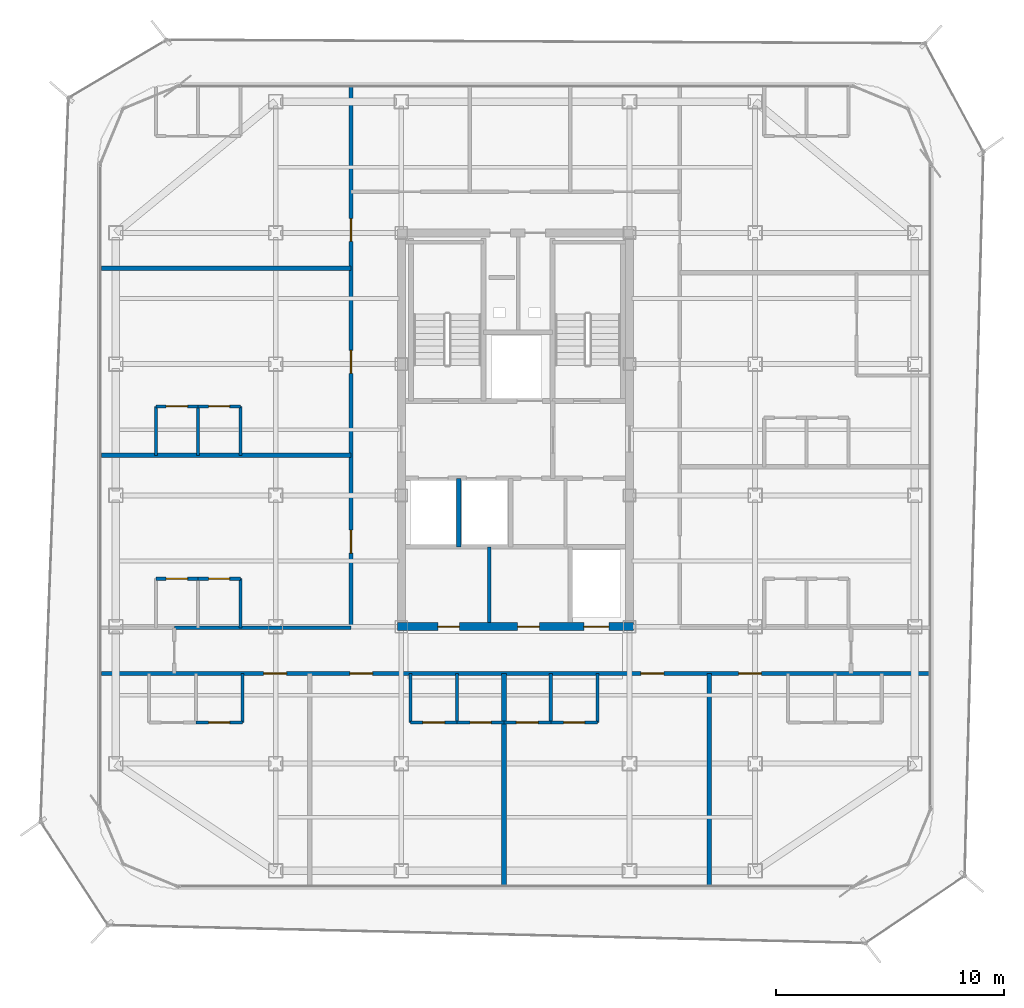
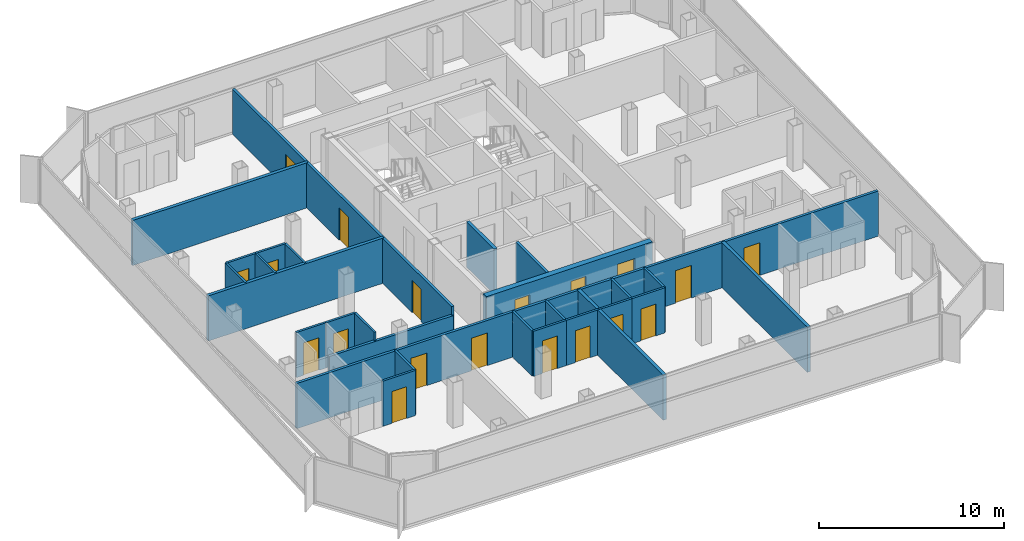
# One storey, part 10 of 16: 28 walls, 19 doors, 19 openings.
"""IFC4 building model written with IfcOpenShell, lengths in metres."""

from ifc_helpers import new_model, si_unit, direction, frame, frame_2d, origin, place, context, subcontext, project, spatial, rectangle, extrude, material, layer, layer_set, type_object, element, fill, save


model = new_model("IFC4")

# Units and contexts
model_context = context("Model", 3, precision=1e-05, world=origin(), true_north=direction((0.0, 1.0)))
body_context = subcontext(model_context, "Body", "Model", "MODEL_VIEW")
ifc_project = project(units=[si_unit("LENGTHUNIT", "METRE"), si_unit("AREAUNIT", "SQUARE_METRE"), si_unit("VOLUMEUNIT", "CUBIC_METRE"), si_unit("PLANEANGLEUNIT", "RADIAN"), si_unit("MASSUNIT", "GRAM", prefix="KILO")], contexts=[model_context])

# Site, building, storey
site_placement = place(None, origin())
site = spatial("IfcSite", under=ifc_project, at=site_placement, CompositionType="ELEMENT")
building_placement = place(site_placement, origin())
building = spatial("IfcBuilding", under=site, at=building_placement, Name="Kolveth Station Tower", CompositionType="ELEMENT")
storey_placement = place(building_placement, frame((0.0, 0.0, 236.10009765625)))
storey = spatial("IfcBuildingStorey", under=building, at=storey_placement, Name="L67", CompositionType="ELEMENT", Elevation=236.10009765625)

# Wall, openings, doors
ifc_material_1 = material(Name="Concrete C50/60", Category="concrete")
ifc_layer_1 = layer(ifc_material_1, 0.35009765625)
ifc_layer_set_1 = layer_set([ifc_layer_1], Name="Concrete C50/60")
wall_type_1 = type_object("IfcWallType", Name="Wall_CW-350", PredefinedType="SHEAR", material=ifc_layer_set_1)
wall_1_placement = place(storey_placement, frame((18.324951171875, 11.5, 0.0), z_axis=(0.0, 0.0, 1.0), x_axis=(1.0, 0.0, 0.0)))
wall_1 = element("IfcWall", 1, at=wall_1_placement, inside=storey, type_object=wall_type_1, Name="L67 Core RC Shear Wall S", PredefinedType="SHEAR", context=body_context, shape_type="SweptSolid", body=[
    extrude(rectangle(XDim=10.35009765625, YDim=0.35009765625, at=frame_2d((5.175048828125, 0.0))), origin(), (0.0, 0.0, 1.0), 2.97998046875),
])
opening_1_placement = place(wall_1_placement, frame((1.77490234375, 0.0, 0.0)))
opening_1 = element("IfcOpeningElement", 2, at=opening_1_placement, cuts=wall_1, Name="Opening ID1", PredefinedType="OPENING", context=body_context, shape_type="SweptSolid", body=[
    extrude(rectangle(XDim=0.949951171875, YDim=2.14990234375, at=frame_2d((0.47509765625, 1.074951171875))), frame((0.0, 0.18505859375, 0.0), z_axis=(0.0, -1.0, 0.0), x_axis=(1.0, 0.0, 0.0)), (0.0, 0.0, 1.0), 0.3701171875),
])
opening_2_placement = place(wall_1_placement, frame((5.27490234375, 0.0, 0.0)))
opening_2 = element("IfcOpeningElement", 3, at=opening_2_placement, cuts=wall_1, Name="Opening ID1", PredefinedType="OPENING", context=body_context, shape_type="SweptSolid", body=[
    extrude(rectangle(XDim=0.949951171875, YDim=2.14990234375, at=frame_2d((0.47509765625, 1.074951171875))), frame((0.0, 0.18505859375, 0.0), z_axis=(0.0, -1.0, 0.0), x_axis=(1.0, 0.0, 0.0)), (0.0, 0.0, 1.0), 0.3701171875),
])
opening_3_placement = place(wall_1_placement, frame((8.175048828125, 0.0, 0.0)))
opening_3 = element("IfcOpeningElement", 4, at=opening_3_placement, cuts=wall_1, Name="Opening LD1", PredefinedType="OPENING", context=body_context, shape_type="SweptSolid", body=[
    extrude(rectangle(XDim=1.10009765625, YDim=2.25, at=frame_2d((0.550048828125, 1.125))), frame((0.0, 0.18505859375, 0.0), z_axis=(0.0, -1.0, 0.0), x_axis=(1.0, 0.0, 0.0)), (0.0, 0.0, 1.0), 0.3701171875),
])
ifc_material_2 = material(Name="Acoustic hardwood leaf and aluminium frame", Category="wood")
door_type_1 = type_object("IfcDoorType", Name="Door_ID1", OperationType="NOTDEFINED", PredefinedType="DOOR", material=ifc_material_2)
door_1_placement = place(opening_1_placement, frame((0.949951171875, 0.0, 0.0), z_axis=(0.0, 0.0, 1.0), x_axis=(-1.0, 0.0, 0.0)))
door_1 = element("IfcDoor", 5, at=door_1_placement, inside=storey, type_object=door_type_1, Name="L67 Laundry Room Door", OperationType="SINGLE_SWING_LEFT", OverallHeight=2.14990234375, OverallWidth=0.949951171875, PredefinedType="DOOR", context=body_context, shape_type="SweptSolid", body=[
    extrude(rectangle(XDim=0.949951171875, YDim=2.14990234375, at=frame_2d((0.47509765625, 1.074951171875))), frame((0.0, 0.02490234375, 0.0), z_axis=(0.0, -1.0, 0.0), x_axis=(1.0, 0.0, 0.0)), (0.0, 0.0, 1.0), 0.050048828125),
])
fill(opening_1, door_1)
door_2_placement = place(opening_2_placement, frame((0.949951171875, 0.0, 0.0), z_axis=(0.0, 0.0, 1.0), x_axis=(-1.0, 0.0, 0.0)))
door_2 = element("IfcDoor", 6, at=door_2_placement, inside=storey, type_object=door_type_1, Name="L67 Parcel Room Door", OperationType="SINGLE_SWING_RIGHT", OverallHeight=2.14990234375, OverallWidth=0.949951171875, PredefinedType="DOOR", context=body_context, shape_type="SweptSolid", body=[
    extrude(rectangle(XDim=0.949951171875, YDim=2.14990234375, at=frame_2d((0.47509765625, 1.074951171875))), frame((0.0, 0.02490234375, 0.0), z_axis=(0.0, -1.0, 0.0), x_axis=(1.0, 0.0, 0.0)), (0.0, 0.0, 1.0), 0.050048828125),
])
fill(opening_2, door_2)
ifc_material_3 = material(Name="Brushed stainless steel sliding landing doors", Category="steel")
door_type_2 = type_object("IfcDoorType", Name="Door_LD1", OperationType="NOTDEFINED", PredefinedType="DOOR", material=ifc_material_3)
door_3_placement = place(opening_3_placement, frame((1.10009765625, 0.0, 0.0), z_axis=(0.0, 0.0, 1.0), x_axis=(-1.0, 0.0, 0.0)))
door_3 = element("IfcDoor", 7, at=door_3_placement, inside=storey, type_object=door_type_2, Name="L67 Lift PH1 Landing Door", OperationType="DOUBLE_DOOR_SLIDING", OverallHeight=2.25, OverallWidth=1.10009765625, PredefinedType="DOOR", context=body_context, shape_type="SweptSolid", body=[
    extrude(rectangle(XDim=1.10009765625, YDim=2.25, at=frame_2d((0.550048828125, 1.125))), frame((0.0, 0.02490234375, 0.0), z_axis=(0.0, -1.0, 0.0), x_axis=(1.0, 0.0, 0.0)), (0.0, 0.0, 1.0), 0.050048828125),
])
fill(opening_3, door_3)

# Wall, opening, door
ifc_material_4 = material(Name="Moisture-resistant gypsum partition")
ifc_layer_2 = layer(ifc_material_4, 0.135009765625)
ifc_layer_set_2 = layer_set([ifc_layer_2], Name="Moisture-resistant gypsum partition")
wall_type_2 = type_object("IfcWallType", Name="Wall_IW-135", PredefinedType="PARTITIONING", material=ifc_layer_set_2)
wall_2_placement = place(storey_placement, frame((9.5, 7.300048828125, 0.0), z_axis=(0.0, 0.0, 1.0), x_axis=(1.0, 0.0, 0.0)))
wall_2 = element("IfcWall", 8, at=wall_2_placement, inside=storey, type_object=wall_type_2, Name="L67 Partition Wall WL-L67-A1-IBHB", PredefinedType="PARTITIONING", context=body_context, shape_type="SweptSolid", body=[
    extrude(rectangle(XDim=2.050048828125, YDim=0.135009765625, at=frame_2d((1.02490234375, 0.0))), origin(), (0.0, 0.0, 1.0), 2.97998046875),
])
opening_4_placement = place(wall_2_placement, frame((0.56494140625, 0.0, 0.0)))
opening_4 = element("IfcOpeningElement", 9, at=opening_4_placement, cuts=wall_2, Name="Opening ID2", PredefinedType="OPENING", context=body_context, shape_type="SweptSolid", body=[
    extrude(rectangle(XDim=0.919921875, YDim=2.10009765625, at=frame_2d((0.4599609375, 1.050048828125))), frame((0.0, 0.077392578125, 0.0), z_axis=(0.0, -1.0, 0.0), x_axis=(1.0, 0.0, 0.0)), (0.0, 0.0, 1.0), 0.155029296875),
])
ifc_material_5 = material(Name="Moisture-resistant hardwood leaf", Category="wood")
door_type_3 = type_object("IfcDoorType", Name="Door_ID2", OperationType="NOTDEFINED", PredefinedType="DOOR", material=ifc_material_5)
door_4_placement = place(opening_4_placement, origin())
door_4 = element("IfcDoor", 10, at=door_4_placement, inside=storey, type_object=door_type_3, Name="Flat L67-A1 Bathroom Door", OperationType="SINGLE_SWING_LEFT", OverallHeight=2.10009765625, OverallWidth=0.919921875, PredefinedType="DOOR", context=body_context, shape_type="SweptSolid", body=[
    extrude(rectangle(XDim=0.919921875, YDim=2.10009765625, at=frame_2d((0.4599609375, 1.050048828125))), frame((0.0, 0.02490234375, 0.0), z_axis=(0.0, -1.0, 0.0), x_axis=(1.0, 0.0, 0.0)), (0.0, 0.0, 1.0), 0.050048828125),
])
fill(opening_4, door_4)

# Wall
wall_3_placement = place(storey_placement, frame((11.550048828125, 7.300048828125, 0.0), z_axis=(0.0, 0.0, 1.0), x_axis=(0.0, 1.0, 0.0)))
element("IfcWall", 11, at=wall_3_placement, inside=storey, type_object=wall_type_2, Name="L67 Partition Wall WL-L67-A1-IBV2", PredefinedType="PARTITIONING", context=body_context, shape_type="SweptSolid", body=[
    extrude(rectangle(XDim=2.14990234375, YDim=0.135009765625, at=frame_2d((1.074951171875, 0.0))), origin(), (0.0, 0.0, 1.0), 2.97998046875),
])

# Wall, opening, door
wall_4_placement = place(storey_placement, frame((18.89990234375, 7.300048828125, 0.0), z_axis=(0.0, 0.0, 1.0), x_axis=(1.0, 0.0, 0.0)))
wall_4 = element("IfcWall", 12, at=wall_4_placement, inside=storey, type_object=wall_type_2, Name="L67 Partition Wall WL-L67-A2-IBHK", PredefinedType="PARTITIONING", context=body_context, shape_type="SweptSolid", body=[
    extrude(rectangle(XDim=2.050048828125, YDim=0.135009765625, at=frame_2d((1.02490234375, 0.0))), origin(), (0.0, 0.0, 1.0), 2.97998046875),
])
opening_5_placement = place(wall_4_placement, frame((0.544921875, 0.0, 0.0)))
opening_5 = element("IfcOpeningElement", 13, at=opening_5_placement, cuts=wall_4, Name="Opening ID1", PredefinedType="OPENING", context=body_context, shape_type="SweptSolid", body=[
    extrude(rectangle(XDim=0.949951171875, YDim=2.14990234375, at=frame_2d((0.47509765625, 1.074951171875))), frame((0.0, 0.077392578125, 0.0), z_axis=(0.0, -1.0, 0.0), x_axis=(1.0, 0.0, 0.0)), (0.0, 0.0, 1.0), 0.155029296875),
])
door_5_placement = place(opening_5_placement, origin())
door_5 = element("IfcDoor", 14, at=door_5_placement, inside=storey, type_object=door_type_1, Name="Flat L67-A2 Kitchen Door", OperationType="SINGLE_SWING_RIGHT", OverallHeight=2.14990234375, OverallWidth=0.949951171875, PredefinedType="DOOR", context=body_context, shape_type="SweptSolid", body=[
    extrude(rectangle(XDim=0.949951171875, YDim=2.14990234375, at=frame_2d((0.47509765625, 1.074951171875))), frame((0.0, 0.02490234375, 0.0), z_axis=(0.0, -1.0, 0.0), x_axis=(1.0, 0.0, 0.0)), (0.0, 0.0, 1.0), 0.050048828125),
])
fill(opening_5, door_5)

wall_5_placement = place(storey_placement, frame((20.949951171875, 7.300048828125, 0.0), z_axis=(0.0, 0.0, 1.0), x_axis=(1.0, 0.0, 0.0)))
wall_5 = element("IfcWall", 15, at=wall_5_placement, inside=storey, type_object=wall_type_2, Name="L67 Partition Wall WL-L67-A2-IBHB", PredefinedType="PARTITIONING", context=body_context, shape_type="SweptSolid", body=[
    extrude(rectangle(XDim=2.050048828125, YDim=0.135009765625, at=frame_2d((1.02490234375, 0.0))), origin(), (0.0, 0.0, 1.0), 2.97998046875),
])
opening_6_placement = place(wall_5_placement, frame((0.56494140625, 0.0, 0.0)))
opening_6 = element("IfcOpeningElement", 16, at=opening_6_placement, cuts=wall_5, Name="Opening ID2", PredefinedType="OPENING", context=body_context, shape_type="SweptSolid", body=[
    extrude(rectangle(XDim=0.919921875, YDim=2.10009765625, at=frame_2d((0.4599609375, 1.050048828125))), frame((0.0, 0.077392578125, 0.0), z_axis=(0.0, -1.0, 0.0), x_axis=(1.0, 0.0, 0.0)), (0.0, 0.0, 1.0), 0.155029296875),
])
door_6_placement = place(opening_6_placement, origin())
door_6 = element("IfcDoor", 17, at=door_6_placement, inside=storey, type_object=door_type_3, Name="Flat L67-A2 Bathroom Door", OperationType="SINGLE_SWING_LEFT", OverallHeight=2.10009765625, OverallWidth=0.919921875, PredefinedType="DOOR", context=body_context, shape_type="SweptSolid", body=[
    extrude(rectangle(XDim=0.919921875, YDim=2.10009765625, at=frame_2d((0.4599609375, 1.050048828125))), frame((0.0, 0.02490234375, 0.0), z_axis=(0.0, -1.0, 0.0), x_axis=(1.0, 0.0, 0.0)), (0.0, 0.0, 1.0), 0.050048828125),
])
fill(opening_6, door_6)

# Walls
for number, where, z_axis, x_axis, name in (
    (18, (18.89990234375, 7.300048828125, 0.0), (0.0, 0.0, 1.0), (0.0, 1.0, 0.0), "L67 Partition Wall WL-L67-A2-IBV0"),
    (19, (20.949951171875, 7.300048828125, 0.0), (0.0, 0.0, 1.0), (0.0, 1.0, 0.0), "L67 Partition Wall WL-L67-A2-IBV1"),
):
    element("IfcWall", number, at=place(storey_placement, frame(where, z_axis=z_axis, x_axis=x_axis)), inside=storey, type_object=wall_type_2, Name=name, PredefinedType="PARTITIONING", context=body_context, shape_type="SweptSolid", body=[
        extrude(rectangle(XDim=2.14990234375, YDim=0.135009765625, at=frame_2d((1.074951171875, 0.0))), origin(), (0.0, 0.0, 1.0), 2.97998046875),
    ])

# Wall, opening, door
wall_6_placement = place(storey_placement, frame((23.0, 7.300048828125, 0.0), z_axis=(0.0, 0.0, 1.0), x_axis=(1.0, 0.0, 0.0)))
wall_6 = element("IfcWall", 20, at=wall_6_placement, inside=storey, type_object=wall_type_2, Name="L67 Partition Wall WL-L67-A3-IBHK", PredefinedType="PARTITIONING", context=body_context, shape_type="SweptSolid", body=[
    extrude(rectangle(XDim=2.050048828125, YDim=0.135009765625, at=frame_2d((1.02490234375, 0.0))), origin(), (0.0, 0.0, 1.0), 2.97998046875),
])
opening_7_placement = place(wall_6_placement, frame((0.544921875, 0.0, 0.0)))
opening_7 = element("IfcOpeningElement", 21, at=opening_7_placement, cuts=wall_6, Name="Opening ID1", PredefinedType="OPENING", context=body_context, shape_type="SweptSolid", body=[
    extrude(rectangle(XDim=0.949951171875, YDim=2.14990234375, at=frame_2d((0.47509765625, 1.074951171875))), frame((0.0, 0.077392578125, 0.0), z_axis=(0.0, -1.0, 0.0), x_axis=(1.0, 0.0, 0.0)), (0.0, 0.0, 1.0), 0.155029296875),
])
door_7_placement = place(opening_7_placement, origin())
door_7 = element("IfcDoor", 22, at=door_7_placement, inside=storey, type_object=door_type_1, Name="Flat L67-A3 Kitchen Door", OperationType="SINGLE_SWING_LEFT", OverallHeight=2.14990234375, OverallWidth=0.949951171875, PredefinedType="DOOR", context=body_context, shape_type="SweptSolid", body=[
    extrude(rectangle(XDim=0.949951171875, YDim=2.14990234375, at=frame_2d((0.47509765625, 1.074951171875))), frame((0.0, 0.02490234375, 0.0), z_axis=(0.0, -1.0, 0.0), x_axis=(1.0, 0.0, 0.0)), (0.0, 0.0, 1.0), 0.050048828125),
])
fill(opening_7, door_7)

wall_7_placement = place(storey_placement, frame((25.050048828125, 7.300048828125, 0.0), z_axis=(0.0, 0.0, 1.0), x_axis=(1.0, 0.0, 0.0)))
wall_7 = element("IfcWall", 23, at=wall_7_placement, inside=storey, type_object=wall_type_2, Name="L67 Partition Wall WL-L67-A3-IBHB", PredefinedType="PARTITIONING", context=body_context, shape_type="SweptSolid", body=[
    extrude(rectangle(XDim=2.050048828125, YDim=0.135009765625, at=frame_2d((1.02490234375, 0.0))), origin(), (0.0, 0.0, 1.0), 2.97998046875),
])
opening_8_placement = place(wall_7_placement, frame((0.56494140625, 0.0, 0.0)))
opening_8 = element("IfcOpeningElement", 24, at=opening_8_placement, cuts=wall_7, Name="Opening ID2", PredefinedType="OPENING", context=body_context, shape_type="SweptSolid", body=[
    extrude(rectangle(XDim=0.919921875, YDim=2.10009765625, at=frame_2d((0.4599609375, 1.050048828125))), frame((0.0, 0.077392578125, 0.0), z_axis=(0.0, -1.0, 0.0), x_axis=(1.0, 0.0, 0.0)), (0.0, 0.0, 1.0), 0.155029296875),
])
door_8_placement = place(opening_8_placement, origin())
door_8 = element("IfcDoor", 25, at=door_8_placement, inside=storey, type_object=door_type_3, Name="Flat L67-A3 Bathroom Door", OperationType="SINGLE_SWING_RIGHT", OverallHeight=2.10009765625, OverallWidth=0.919921875, PredefinedType="DOOR", context=body_context, shape_type="SweptSolid", body=[
    extrude(rectangle(XDim=0.919921875, YDim=2.10009765625, at=frame_2d((0.4599609375, 1.050048828125))), frame((0.0, 0.02490234375, 0.0), z_axis=(0.0, -1.0, 0.0), x_axis=(1.0, 0.0, 0.0)), (0.0, 0.0, 1.0), 0.050048828125),
])
fill(opening_8, door_8)

# Walls
for number, where, z_axis, x_axis, name in (
    (26, (25.050048828125, 7.300048828125, 0.0), (0.0, 0.0, 1.0), (0.0, 1.0, 0.0), "L67 Partition Wall WL-L67-A3-IBV1"),
    (27, (27.10009765625, 7.300048828125, 0.0), (0.0, 0.0, 1.0), (0.0, 1.0, 0.0), "L67 Partition Wall WL-L67-A3-IBV2"),
):
    element("IfcWall", number, at=place(storey_placement, frame(where, z_axis=z_axis, x_axis=x_axis)), inside=storey, type_object=wall_type_2, Name=name, PredefinedType="PARTITIONING", context=body_context, shape_type="SweptSolid", body=[
        extrude(rectangle(XDim=2.14990234375, YDim=0.135009765625, at=frame_2d((1.074951171875, 0.0))), origin(), (0.0, 0.0, 1.0), 2.97998046875),
    ])

# Wall, opening, door
wall_8_placement = place(storey_placement, frame((7.75, 13.60009765625, 0.0), z_axis=(0.0, 0.0, 1.0), x_axis=(1.0, 0.0, 0.0)))
wall_8 = element("IfcWall", 28, at=wall_8_placement, inside=storey, type_object=wall_type_2, Name="L67 Partition Wall WL-L67-W1-IBHK", PredefinedType="PARTITIONING", context=body_context, shape_type="SweptSolid", body=[
    extrude(rectangle(XDim=1.85009765625, YDim=0.135009765625, at=frame_2d((0.925048828125, 0.0))), origin(), (0.0, 0.0, 1.0), 2.97998046875),
])
opening_9_placement = place(wall_8_placement, frame((0.445068359375, 0.0, 0.0)))
opening_9 = element("IfcOpeningElement", 29, at=opening_9_placement, cuts=wall_8, Name="Opening ID1", PredefinedType="OPENING", context=body_context, shape_type="SweptSolid", body=[
    extrude(rectangle(XDim=0.949951171875, YDim=2.14990234375, at=frame_2d((0.47509765625, 1.074951171875))), frame((0.0, 0.077392578125, 0.0), z_axis=(0.0, -1.0, 0.0), x_axis=(1.0, 0.0, 0.0)), (0.0, 0.0, 1.0), 0.155029296875),
])
door_9_placement = place(opening_9_placement, origin())
door_9 = element("IfcDoor", 30, at=door_9_placement, inside=storey, type_object=door_type_1, Name="Flat L67-W1 Kitchen Door", OperationType="SINGLE_SWING_LEFT", OverallHeight=2.14990234375, OverallWidth=0.949951171875, PredefinedType="DOOR", context=body_context, shape_type="SweptSolid", body=[
    extrude(rectangle(XDim=0.949951171875, YDim=2.14990234375, at=frame_2d((0.47509765625, 1.074951171875))), frame((0.0, 0.02490234375, 0.0), z_axis=(0.0, -1.0, 0.0), x_axis=(1.0, 0.0, 0.0)), (0.0, 0.0, 1.0), 0.050048828125),
])
fill(opening_9, door_9)

wall_9_placement = place(storey_placement, frame((9.60009765625, 13.60009765625, 0.0), z_axis=(0.0, 0.0, 1.0), x_axis=(1.0, 0.0, 0.0)))
wall_9 = element("IfcWall", 31, at=wall_9_placement, inside=storey, type_object=wall_type_2, Name="L67 Partition Wall WL-L67-W1-IBHB", PredefinedType="PARTITIONING", context=body_context, shape_type="SweptSolid", body=[
    extrude(rectangle(XDim=1.849853515625, YDim=0.135009765625, at=frame_2d((0.9248046875, 0.0))), origin(), (0.0, 0.0, 1.0), 2.97998046875),
])
opening_10_placement = place(wall_9_placement, frame((0.465087890625, 0.0, 0.0)))
opening_10 = element("IfcOpeningElement", 32, at=opening_10_placement, cuts=wall_9, Name="Opening ID2", PredefinedType="OPENING", context=body_context, shape_type="SweptSolid", body=[
    extrude(rectangle(XDim=0.919921875, YDim=2.10009765625, at=frame_2d((0.4599609375, 1.050048828125))), frame((0.0, 0.077392578125, 0.0), z_axis=(0.0, -1.0, 0.0), x_axis=(1.0, 0.0, 0.0)), (0.0, 0.0, 1.0), 0.155029296875),
])
door_10_placement = place(opening_10_placement, origin())
door_10 = element("IfcDoor", 33, at=door_10_placement, inside=storey, type_object=door_type_3, Name="Flat L67-W1 Bathroom Door", OperationType="SINGLE_SWING_RIGHT", OverallHeight=2.10009765625, OverallWidth=0.919921875, PredefinedType="DOOR", context=body_context, shape_type="SweptSolid", body=[
    extrude(rectangle(XDim=0.919921875, YDim=2.10009765625, at=frame_2d((0.4599609375, 1.050048828125))), frame((0.0, 0.02490234375, 0.0), z_axis=(0.0, -1.0, 0.0), x_axis=(1.0, 0.0, 0.0)), (0.0, 0.0, 1.0), 0.050048828125),
])
fill(opening_10, door_10)

# Wall
wall_10_placement = place(storey_placement, frame((11.449951171875, 11.449951171875, 0.0), z_axis=(0.0, 0.0, 1.0), x_axis=(0.0, 1.0, 0.0)))
element("IfcWall", 34, at=wall_10_placement, inside=storey, type_object=wall_type_2, Name="L67 Partition Wall WL-L67-W1-IBV2", PredefinedType="PARTITIONING", context=body_context, shape_type="SweptSolid", body=[
    extrude(rectangle(XDim=2.150146484375, YDim=0.135009765625, at=frame_2d((1.0751953125, 0.0))), origin(), (0.0, 0.0, 1.0), 2.97998046875),
])

# Wall, opening, door
wall_11_placement = place(storey_placement, frame((7.75, 21.14990234375, 0.0), z_axis=(0.0, 0.0, 1.0), x_axis=(1.0, 0.0, 0.0)))
wall_11 = element("IfcWall", 35, at=wall_11_placement, inside=storey, type_object=wall_type_2, Name="L67 Partition Wall WL-L67-W2-IBHK", PredefinedType="PARTITIONING", context=body_context, shape_type="SweptSolid", body=[
    extrude(rectangle(XDim=1.85009765625, YDim=0.135009765625, at=frame_2d((0.925048828125, 0.0))), origin(), (0.0, 0.0, 1.0), 2.97998046875),
])
opening_11_placement = place(wall_11_placement, frame((0.445068359375, 0.0, 0.0)))
opening_11 = element("IfcOpeningElement", 36, at=opening_11_placement, cuts=wall_11, Name="Opening ID1", PredefinedType="OPENING", context=body_context, shape_type="SweptSolid", body=[
    extrude(rectangle(XDim=0.949951171875, YDim=2.14990234375, at=frame_2d((0.47509765625, 1.074951171875))), frame((0.0, 0.077392578125, 0.0), z_axis=(0.0, -1.0, 0.0), x_axis=(1.0, 0.0, 0.0)), (0.0, 0.0, 1.0), 0.155029296875),
])
door_11_placement = place(opening_11_placement, origin())
door_11 = element("IfcDoor", 37, at=door_11_placement, inside=storey, type_object=door_type_1, Name="Flat L67-W2 Kitchen Door", OperationType="SINGLE_SWING_RIGHT", OverallHeight=2.14990234375, OverallWidth=0.949951171875, PredefinedType="DOOR", context=body_context, shape_type="SweptSolid", body=[
    extrude(rectangle(XDim=0.949951171875, YDim=2.14990234375, at=frame_2d((0.47509765625, 1.074951171875))), frame((0.0, 0.02490234375, 0.0), z_axis=(0.0, -1.0, 0.0), x_axis=(1.0, 0.0, 0.0)), (0.0, 0.0, 1.0), 0.050048828125),
])
fill(opening_11, door_11)

wall_12_placement = place(storey_placement, frame((9.60009765625, 21.14990234375, 0.0), z_axis=(0.0, 0.0, 1.0), x_axis=(1.0, 0.0, 0.0)))
wall_12 = element("IfcWall", 38, at=wall_12_placement, inside=storey, type_object=wall_type_2, Name="L67 Partition Wall WL-L67-W2-IBHB", PredefinedType="PARTITIONING", context=body_context, shape_type="SweptSolid", body=[
    extrude(rectangle(XDim=1.849853515625, YDim=0.135009765625, at=frame_2d((0.9248046875, 0.0))), origin(), (0.0, 0.0, 1.0), 2.97998046875),
])
opening_12_placement = place(wall_12_placement, frame((0.465087890625, 0.0, 0.0)))
opening_12 = element("IfcOpeningElement", 39, at=opening_12_placement, cuts=wall_12, Name="Opening ID2", PredefinedType="OPENING", context=body_context, shape_type="SweptSolid", body=[
    extrude(rectangle(XDim=0.919921875, YDim=2.10009765625, at=frame_2d((0.4599609375, 1.050048828125))), frame((0.0, 0.077392578125, 0.0), z_axis=(0.0, -1.0, 0.0), x_axis=(1.0, 0.0, 0.0)), (0.0, 0.0, 1.0), 0.155029296875),
])
door_12_placement = place(opening_12_placement, origin())
door_12 = element("IfcDoor", 40, at=door_12_placement, inside=storey, type_object=door_type_3, Name="Flat L67-W2 Bathroom Door", OperationType="SINGLE_SWING_LEFT", OverallHeight=2.10009765625, OverallWidth=0.919921875, PredefinedType="DOOR", context=body_context, shape_type="SweptSolid", body=[
    extrude(rectangle(XDim=0.919921875, YDim=2.10009765625, at=frame_2d((0.4599609375, 1.050048828125))), frame((0.0, 0.02490234375, 0.0), z_axis=(0.0, -1.0, 0.0), x_axis=(1.0, 0.0, 0.0)), (0.0, 0.0, 1.0), 0.050048828125),
])
fill(opening_12, door_12)

# Walls
for number, where, z_axis, x_axis, name in (
    (41, (7.75, 19.0, 0.0), (0.0, 0.0, 1.0), (0.0, 1.0, 0.0), "L67 Partition Wall WL-L67-W2-IBV0"),
    (42, (9.60009765625, 19.0, 0.0), (0.0, 0.0, 1.0), (0.0, 1.0, 0.0), "L67 Partition Wall WL-L67-W2-IBV1"),
    (43, (11.449951171875, 19.0, 0.0), (0.0, 0.0, 1.0), (0.0, 1.0, 0.0), "L67 Partition Wall WL-L67-W2-IBV2"),
):
    element("IfcWall", number, at=place(storey_placement, frame(where, z_axis=z_axis, x_axis=x_axis)), inside=storey, type_object=wall_type_2, Name=name, PredefinedType="PARTITIONING", context=body_context, shape_type="SweptSolid", body=[
        extrude(rectangle(XDim=2.14990234375, YDim=0.135009765625, at=frame_2d((1.074951171875, 0.0))), origin(), (0.0, 0.0, 1.0), 2.97998046875),
    ])
ifc_material_6 = material(Name="Acoustic double-stud gypsum partition")
ifc_layer_3 = layer(ifc_material_6, 0.1650390625)
ifc_layer_set_3 = layer_set([ifc_layer_3], Name="Acoustic double-stud gypsum partition")
wall_type_3 = type_object("IfcWallType", Name="Wall_IW-165", PredefinedType="PARTITIONING", material=ifc_layer_set_3)
wall_13_placement = place(storey_placement, frame((22.35009765625, 11.68505859375, 0.0), z_axis=(0.0, 0.0, 1.0), x_axis=(0.0, 1.0, 0.0)))
element("IfcWall", 44, at=wall_13_placement, inside=storey, type_object=wall_type_3, Name="L67 Partition Wall WL-L67-FR-M", PredefinedType="PARTITIONING", context=body_context, shape_type="SweptSolid", body=[
    extrude(rectangle(XDim=3.31494140625, YDim=0.1650390625, at=frame_2d((1.657470703125, 0.0))), origin(), (0.0, 0.0, 1.0), 2.97998046875),
])

# Wall, openings, doors
wall_14_placement = place(storey_placement, frame((5.360107421875, 9.449951171875, 0.0), z_axis=(0.0, 0.0, 1.0), x_axis=(1.0, 0.0, 0.0)))
wall_14 = element("IfcWall", 45, at=wall_14_placement, inside=storey, type_object=wall_type_3, Name="L67 Partition Wall WL-L67-RS", PredefinedType="PARTITIONING", context=body_context, shape_type="SweptSolid", body=[
    extrude(rectangle(XDim=36.27978515625, YDim=0.1650390625, at=frame_2d((18.139892578125, 0.0))), origin(), (0.0, 0.0, 1.0), 2.97998046875),
])
opening_13_placement = place(wall_14_placement, frame((7.114990234375, 0.0, 0.0)))
opening_13 = element("IfcOpeningElement", 46, at=opening_13_placement, cuts=wall_14, Name="Opening FD3", PredefinedType="OPENING", context=body_context, shape_type="SweptSolid", body=[
    extrude(rectangle(XDim=1.0, YDim=2.14990234375, at=frame_2d((0.5, 1.074951171875))), frame((0.0, 0.092529296875, 0.0), z_axis=(0.0, -1.0, 0.0), x_axis=(1.0, 0.0, 0.0)), (0.0, 0.0, 1.0), 0.18505859375),
])
opening_14_placement = place(wall_14_placement, frame((10.889892578125, 0.0, 0.0)))
opening_14 = element("IfcOpeningElement", 47, at=opening_14_placement, cuts=wall_14, Name="Opening FD3", PredefinedType="OPENING", context=body_context, shape_type="SweptSolid", body=[
    extrude(rectangle(XDim=1.0, YDim=2.14990234375, at=frame_2d((0.5, 1.074951171875))), frame((0.0, 0.092529296875, 0.0), z_axis=(0.0, -1.0, 0.0), x_axis=(1.0, 0.0, 0.0)), (0.0, 0.0, 1.0), 0.18505859375),
])
opening_15_placement = place(wall_14_placement, frame((23.639892578125, 0.0, 0.0)))
opening_15 = element("IfcOpeningElement", 48, at=opening_15_placement, cuts=wall_14, Name="Opening FD3", PredefinedType="OPENING", context=body_context, shape_type="SweptSolid", body=[
    extrude(rectangle(XDim=1.0, YDim=2.14990234375, at=frame_2d((0.5, 1.074951171875))), frame((0.0, 0.092529296875, 0.0), z_axis=(0.0, -1.0, 0.0), x_axis=(1.0, 0.0, 0.0)), (0.0, 0.0, 1.0), 0.18505859375),
])
opening_16_placement = place(wall_14_placement, frame((27.9150390625, 0.0, 0.0)))
opening_16 = element("IfcOpeningElement", 49, at=opening_16_placement, cuts=wall_14, Name="Opening FD3", PredefinedType="OPENING", context=body_context, shape_type="SweptSolid", body=[
    extrude(rectangle(XDim=1.0, YDim=2.14990234375, at=frame_2d((0.5, 1.074951171875))), frame((0.0, 0.092529296875, 0.0), z_axis=(0.0, -1.0, 0.0), x_axis=(1.0, 0.0, 0.0)), (0.0, 0.0, 1.0), 0.18505859375),
])
ifc_material_7 = material(Name="Fire-rated hardwood leaf and aluminium frame", Category="wood")
door_type_4 = type_object("IfcDoorType", Name="Door_FD3", OperationType="NOTDEFINED", PredefinedType="DOOR", material=ifc_material_7)
door_13_placement = place(opening_13_placement, frame((1.0, 0.0, 0.0), z_axis=(0.0, 0.0, 1.0), x_axis=(-1.0, 0.0, 0.0)))
door_13 = element("IfcDoor", 50, at=door_13_placement, inside=storey, type_object=door_type_4, Name="Flat L67-A1 Entrance Door", OperationType="SINGLE_SWING_LEFT", OverallHeight=2.14990234375, OverallWidth=1.0, PredefinedType="DOOR", context=body_context, shape_type="SweptSolid", body=[
    extrude(rectangle(XDim=1.0, YDim=2.14990234375, at=frame_2d((0.5, 1.074951171875))), frame((0.0, 0.02490234375, 0.0), z_axis=(0.0, -1.0, 0.0), x_axis=(1.0, 0.0, 0.0)), (0.0, 0.0, 1.0), 0.050048828125),
])
fill(opening_13, door_13)
door_14_placement = place(opening_14_placement, frame((1.0, 0.0, 0.0), z_axis=(0.0, 0.0, 1.0), x_axis=(-1.0, 0.0, 0.0)))
door_14 = element("IfcDoor", 51, at=door_14_placement, inside=storey, type_object=door_type_4, Name="Flat L67-A2 Entrance Door", OperationType="SINGLE_SWING_RIGHT", OverallHeight=2.14990234375, OverallWidth=1.0, PredefinedType="DOOR", context=body_context, shape_type="SweptSolid", body=[
    extrude(rectangle(XDim=1.0, YDim=2.14990234375, at=frame_2d((0.5, 1.074951171875))), frame((0.0, 0.02490234375, 0.0), z_axis=(0.0, -1.0, 0.0), x_axis=(1.0, 0.0, 0.0)), (0.0, 0.0, 1.0), 0.050048828125),
])
fill(opening_14, door_14)
door_15_placement = place(opening_15_placement, frame((1.0, 0.0, 0.0), z_axis=(0.0, 0.0, 1.0), x_axis=(-1.0, 0.0, 0.0)))
door_15 = element("IfcDoor", 52, at=door_15_placement, inside=storey, type_object=door_type_4, Name="Flat L67-A3 Entrance Door", OperationType="SINGLE_SWING_LEFT", OverallHeight=2.14990234375, OverallWidth=1.0, PredefinedType="DOOR", context=body_context, shape_type="SweptSolid", body=[
    extrude(rectangle(XDim=1.0, YDim=2.14990234375, at=frame_2d((0.5, 1.074951171875))), frame((0.0, 0.02490234375, 0.0), z_axis=(0.0, -1.0, 0.0), x_axis=(1.0, 0.0, 0.0)), (0.0, 0.0, 1.0), 0.050048828125),
])
fill(opening_15, door_15)
door_16_placement = place(opening_16_placement, frame((1.0, 0.0, 0.0), z_axis=(0.0, 0.0, 1.0), x_axis=(-1.0, 0.0, 0.0)))
door_16 = element("IfcDoor", 53, at=door_16_placement, inside=storey, type_object=door_type_4, Name="Flat L67-A4 Entrance Door", OperationType="SINGLE_SWING_LEFT", OverallHeight=2.14990234375, OverallWidth=1.0, PredefinedType="DOOR", context=body_context, shape_type="SweptSolid", body=[
    extrude(rectangle(XDim=1.0, YDim=2.14990234375, at=frame_2d((0.5, 1.074951171875))), frame((0.0, 0.02490234375, 0.0), z_axis=(0.0, -1.0, 0.0), x_axis=(1.0, 0.0, 0.0)), (0.0, 0.0, 1.0), 0.050048828125),
])
fill(opening_16, door_16)

# Wall
wall_15_placement = place(storey_placement, frame((8.56005859375, 11.449951171875, 0.0), z_axis=(0.0, 0.0, 1.0), x_axis=(1.0, 0.0, 0.0)))
element("IfcWall", 54, at=wall_15_placement, inside=storey, type_object=wall_type_3, Name="L67 Partition Wall WL-L67-RSWT", PredefinedType="PARTITIONING", context=body_context, shape_type="SweptSolid", body=[
    extrude(rectangle(XDim=7.739990234375, YDim=0.1650390625, at=frame_2d((3.8701171875, 0.0))), origin(), (0.0, 0.0, 1.0), 2.427978515625),
])

# Wall, openings, doors
wall_16_placement = place(storey_placement, frame((16.300048828125, 11.449951171875, 0.0), z_axis=(0.0, 0.0, 1.0), x_axis=(0.0, 1.0, 0.0)))
wall_16 = element("IfcWall", 55, at=wall_16_placement, inside=storey, type_object=wall_type_3, Name="L67 Partition Wall WL-L67-RW", PredefinedType="PARTITIONING", context=body_context, shape_type="SweptSolid", body=[
    extrude(rectangle(XDim=23.68994140625, YDim=0.1650390625, at=frame_2d((11.844970703125, 0.0))), origin(), (0.0, 0.0, 1.0), 2.97998046875),
])
opening_17_placement = place(wall_16_placement, frame((3.27490234375, 0.0, 0.0)))
opening_17 = element("IfcOpeningElement", 56, at=opening_17_placement, cuts=wall_16, Name="Opening FD3", PredefinedType="OPENING", context=body_context, shape_type="SweptSolid", body=[
    extrude(rectangle(XDim=1.0, YDim=2.14990234375, at=frame_2d((0.5, 1.074951171875))), frame((0.0, 0.092529296875, 0.0), z_axis=(0.0, -1.0, 0.0), x_axis=(1.0, 0.0, 0.0)), (0.0, 0.0, 1.0), 0.18505859375),
])
opening_18_placement = place(wall_16_placement, frame((11.14990234375, 0.0, 0.0)))
opening_18 = element("IfcOpeningElement", 57, at=opening_18_placement, cuts=wall_16, Name="Opening FD3", PredefinedType="OPENING", context=body_context, shape_type="SweptSolid", body=[
    extrude(rectangle(XDim=1.0, YDim=2.14990234375, at=frame_2d((0.5, 1.074951171875))), frame((0.0, 0.092529296875, 0.0), z_axis=(0.0, -1.0, 0.0), x_axis=(1.0, 0.0, 0.0)), (0.0, 0.0, 1.0), 0.18505859375),
])
opening_19_placement = place(wall_16_placement, frame((16.925048828125, 0.0, 0.0)))
opening_19 = element("IfcOpeningElement", 58, at=opening_19_placement, cuts=wall_16, Name="Opening FD3", PredefinedType="OPENING", context=body_context, shape_type="SweptSolid", body=[
    extrude(rectangle(XDim=1.0, YDim=2.14990234375, at=frame_2d((0.5, 1.074951171875))), frame((0.0, 0.092529296875, 0.0), z_axis=(0.0, -1.0, 0.0), x_axis=(1.0, 0.0, 0.0)), (0.0, 0.0, 1.0), 0.18505859375),
])
door_17_placement = place(opening_17_placement, origin())
door_17 = element("IfcDoor", 59, at=door_17_placement, inside=storey, type_object=door_type_4, Name="Flat L67-W1 Entrance Door", OperationType="SINGLE_SWING_LEFT", OverallHeight=2.14990234375, OverallWidth=1.0, PredefinedType="DOOR", context=body_context, shape_type="SweptSolid", body=[
    extrude(rectangle(XDim=1.0, YDim=2.14990234375, at=frame_2d((0.5, 1.074951171875))), frame((0.0, 0.02490234375, 0.0), z_axis=(0.0, -1.0, 0.0), x_axis=(1.0, 0.0, 0.0)), (0.0, 0.0, 1.0), 0.050048828125),
])
fill(opening_17, door_17)
door_18_placement = place(opening_18_placement, origin())
door_18 = element("IfcDoor", 60, at=door_18_placement, inside=storey, type_object=door_type_4, Name="Flat L67-W2 Entrance Door", OperationType="SINGLE_SWING_RIGHT", OverallHeight=2.14990234375, OverallWidth=1.0, PredefinedType="DOOR", context=body_context, shape_type="SweptSolid", body=[
    extrude(rectangle(XDim=1.0, YDim=2.14990234375, at=frame_2d((0.5, 1.074951171875))), frame((0.0, 0.02490234375, 0.0), z_axis=(0.0, -1.0, 0.0), x_axis=(1.0, 0.0, 0.0)), (0.0, 0.0, 1.0), 0.050048828125),
])
fill(opening_18, door_18)
door_19_placement = place(opening_19_placement, origin())
door_19 = element("IfcDoor", 61, at=door_19_placement, inside=storey, type_object=door_type_4, Name="Flat L67-W3 Entrance Door", OperationType="SINGLE_SWING_LEFT", OverallHeight=2.14990234375, OverallWidth=1.0, PredefinedType="DOOR", context=body_context, shape_type="SweptSolid", body=[
    extrude(rectangle(XDim=1.0, YDim=2.14990234375, at=frame_2d((0.5, 1.074951171875))), frame((0.0, 0.02490234375, 0.0), z_axis=(0.0, -1.0, 0.0), x_axis=(1.0, 0.0, 0.0)), (0.0, 0.0, 1.0), 0.050048828125),
])
fill(opening_19, door_19)

# Walls
ifc_material_8 = material(Name="Acoustic fire-rated gypsum blockwork", Category="masonry")
ifc_layer_4 = layer(ifc_material_8, 0.199951171875)
ifc_layer_set_4 = layer_set([ifc_layer_4], Name="Acoustic fire-rated gypsum blockwork")
wall_type_4 = type_object("IfcWallType", Name="Wall_IW-200", PredefinedType="PARTITIONING", material=ifc_layer_set_4)
wall_17_placement = place(storey_placement, frame((21.02001953125, 15.0, 0.0), z_axis=(0.0, 0.0, 1.0), x_axis=(0.0, 1.0, 0.0)))
element("IfcWall", 62, at=wall_17_placement, inside=storey, type_object=wall_type_4, Name="L67 Partition Wall WL-L67-FF12", PredefinedType="PARTITIONING", context=body_context, shape_type="SweptSolid", body=[
    extrude(rectangle(XDim=3.0, YDim=0.199951171875, at=frame_2d((1.5, 0.0))), origin(), (0.0, 0.0, 1.0), 2.97998046875),
])
for number, where, z_axis, x_axis, name in (
    (63, (23.0, 0.159912109375, 0.0), (0.0, 0.0, 1.0), (0.0, 1.0, 0.0), "L67 Partition Wall WL-L67-RSU-2"),
    (64, (32.0, 0.159912109375, 0.0), (0.0, 0.0, 1.0), (0.0, 1.0, 0.0), "L67 Partition Wall WL-L67-RSU-3"),
):
    element("IfcWall", number, at=place(storey_placement, frame(where, z_axis=z_axis, x_axis=x_axis)), inside=storey, type_object=wall_type_4, Name=name, PredefinedType="PARTITIONING", context=body_context, shape_type="SweptSolid", body=[
        extrude(rectangle(XDim=9.2900390625, YDim=0.199951171875, at=frame_2d((4.64501953125, 0.0))), origin(), (0.0, 0.0, 1.0), 2.97998046875),
    ])
for number, where, z_axis, x_axis, name in (
    (65, (5.360107421875, 19.0, 0.0), (0.0, 0.0, 1.0), (1.0, 0.0, 0.0), "L67 Partition Wall WL-L67-RWU-1"),
    (66, (5.360107421875, 27.199951171875, 0.0), (0.0, 0.0, 1.0), (1.0, 0.0, 0.0), "L67 Partition Wall WL-L67-RWU-2"),
):
    element("IfcWall", number, at=place(storey_placement, frame(where, z_axis=z_axis, x_axis=x_axis)), inside=storey, type_object=wall_type_4, Name=name, PredefinedType="PARTITIONING", context=body_context, shape_type="SweptSolid", body=[
        extrude(rectangle(XDim=10.93994140625, YDim=0.199951171875, at=frame_2d((5.469970703125, 0.0))), origin(), (0.0, 0.0, 1.0), 2.97998046875),
    ])

save(model, "model.ifc")
